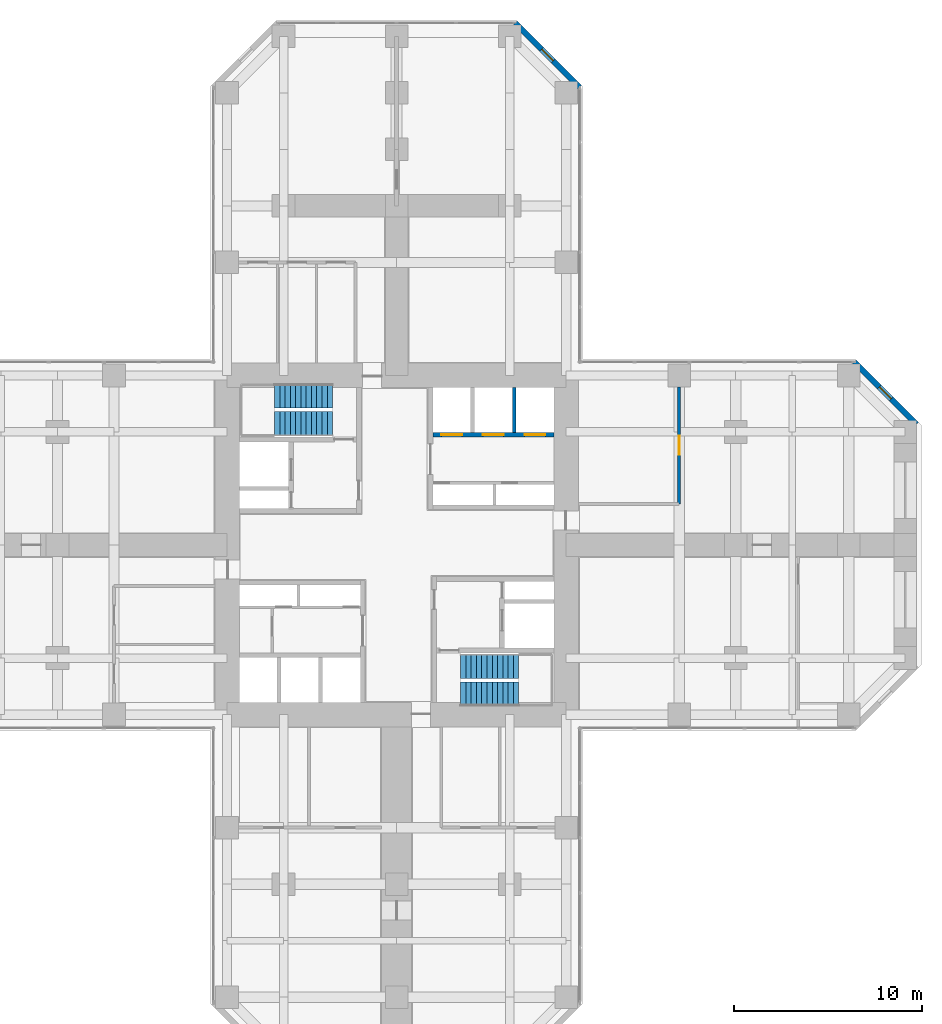
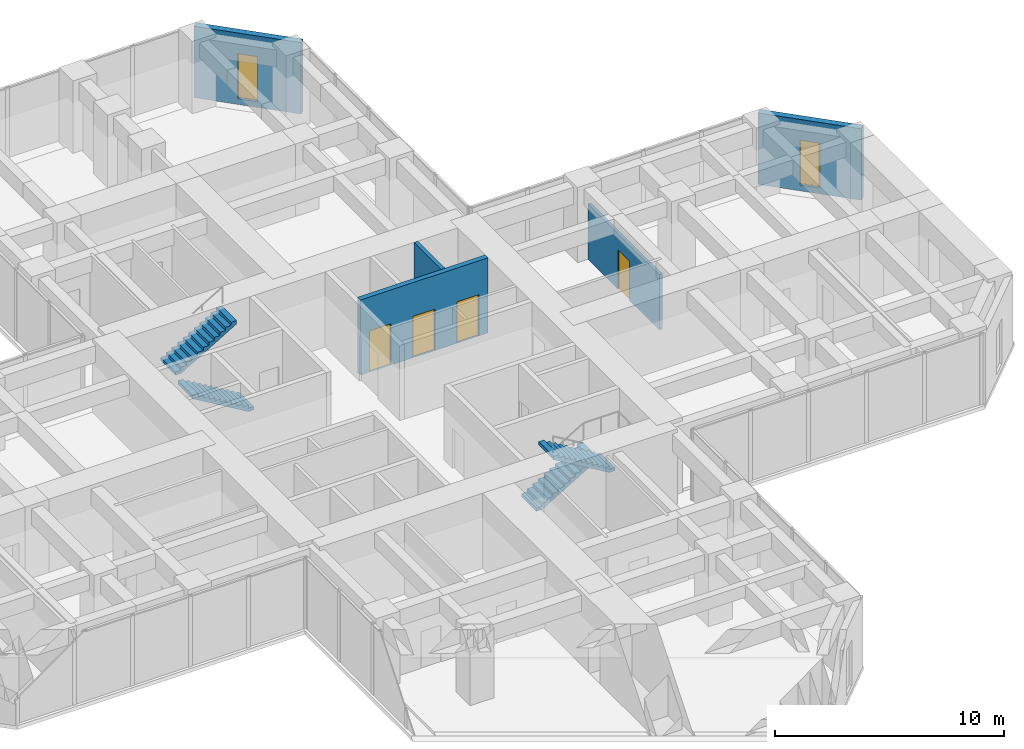
# One storey, part 11 of 12: 5 walls, 4 doors, 4 stair flights, 2 windows, 6 openings, 2 elements without a shape of their own.
"""IFC4 building model written with IfcOpenShell, lengths in metres."""

import ifcopenshell
import ifcopenshell.guid

model = None  # the IFC model being written
_history = None  # IfcOwnerHistory: only IFC2X3 demands one
_inside = {}  # id of a spatial element -> (the spatial element, [elements in it])
_under = {}  # id of a project, library or spatial element -> (it, [spatial elements below it])
_declared = {}  # id of a project -> (the project, [libraries it declares])
_typed = {}  # id of a type object -> (the type object, [elements of that type])
_made_of = {}  # id of a material, layer set ... -> (it, [elements and type objects made of it])


def new_model(schema):
    """Start an empty IFC model of exactly this schema.

    Asked for "IFC4X3", IfcOpenShell would pick the latest addendum, in which some entities
    have other attributes; the version numbers below select the first issue.
    IFC2X3 requires an IfcOwnerHistory on every rooted entity: one is made here for all.
    """
    global model, _history
    if schema == "IFC4X3":
        model = ifcopenshell.file(schema_version=(4, 3, 0, 0))
    else:
        model = ifcopenshell.file(schema=schema)
    _inside.clear()
    _under.clear()
    _declared.clear()
    _typed.clear()
    _made_of.clear()
    _history = None
    if model.schema == "IFC2X3":
        org = make("IfcOrganization", Name="unknown")
        user = make(
            "IfcPersonAndOrganization",
            ThePerson=make("IfcPerson", FamilyName="unknown"),
            TheOrganization=org,
        )
        app = make(
            "IfcApplication",
            ApplicationDeveloper=org,
            Version="unknown",
            ApplicationFullName="unknown",
            ApplicationIdentifier="unknown",
        )
        _history = make(
            "IfcOwnerHistory",
            OwningUser=user,
            OwningApplication=app,
            ChangeAction="ADDED",
            CreationDate=0,
        )
    return model


def make(cls, **values):
    """One entity of the class cls with the attributes given. An attribute that is None is left unset."""
    return model.create_entity(
        cls, **{name: value for name, value in values.items() if value is not None}
    )


def rooted(cls, **values):
    """An entity with a GlobalId (a new one), such as an element, a storey or a relation."""
    return make(cls, GlobalId=ifcopenshell.guid.new(), OwnerHistory=_history, **values)


def si_unit(unit_type, name, prefix=None):
    """IfcSIUnit, for example si_unit("LENGTHUNIT", "METRE", prefix="MILLI")."""
    return make("IfcSIUnit", UnitType=unit_type, Prefix=prefix, Name=name)


def assignment(units):
    """IfcUnitAssignment: the units of a project."""
    return None if units is None else make("IfcUnitAssignment", Units=units)


def point(xyz):
    """IfcCartesianPoint."""
    return None if xyz is None else make("IfcCartesianPoint", Coordinates=xyz)


def direction(xyz):
    """IfcDirection."""
    return None if xyz is None else make("IfcDirection", DirectionRatios=xyz)


def frame(location, z_axis=None, x_axis=None):
    """IfcAxis2Placement3D, a coordinate frame: its origin and axes. An axis left out is left unset."""
    return make(
        "IfcAxis2Placement3D",
        Location=point(location),
        Axis=direction(z_axis),
        RefDirection=direction(x_axis),
    )


def frame_2d(location, x_axis=None):
    """IfcAxis2Placement2D, a coordinate frame in the plane: its origin and x axis."""
    return make(
        "IfcAxis2Placement2D", Location=point(location), RefDirection=direction(x_axis)
    )


def origin():
    """The frame at (0, 0, 0) with its axes left unset."""
    return frame((0.0, 0.0, 0.0))


def place(relative_to, where):
    """IfcLocalPlacement: puts the frame where relative to a parent placement (None: the world)."""
    return make(
        "IfcLocalPlacement", PlacementRelTo=relative_to, RelativePlacement=where
    )


def context(
    kind, dimensions, precision=None, world=None, true_north=None, identifier=None
):
    """IfcGeometricRepresentationContext, for example the 3D "Model" context."""
    return make(
        "IfcGeometricRepresentationContext",
        ContextIdentifier=identifier,
        ContextType=kind,
        CoordinateSpaceDimension=dimensions,
        Precision=precision,
        WorldCoordinateSystem=world,
        TrueNorth=true_north,
    )


def subcontext(parent, identifier, kind, view, scale=None):
    """IfcGeometricRepresentationSubContext, for example "Body" below "Model"."""
    return make(
        "IfcGeometricRepresentationSubContext",
        ContextIdentifier=identifier,
        ContextType=kind,
        ParentContext=parent,
        TargetScale=scale,
        TargetView=view,
    )


def project(units=None, contexts=None):
    """IfcProject with its units and contexts."""
    return rooted(
        "IfcProject",
        Name="project",
        RepresentationContexts=contexts,
        UnitsInContext=assignment(units),
    )


def spatial(cls, under=None, at=None, **own):
    """A site, building, storey or space (cls), placed at a placement, below another one or the project."""
    s = rooted(cls, ObjectPlacement=at, **own)
    if under is not None:
        _under.setdefault(under.id(), (under, []))[1].append(s)
    return s


def polyline(points):
    """IfcPolyline through the points."""
    return make("IfcPolyline", Points=[point(p) for p in points])


def profile(cls, at=None, kind="AREA", **sizes):
    """A parametric profile (cls). Its sizes go by their IFC names, for example OverallWidth=200.0."""
    return make(cls, ProfileType=kind, Position=at, **sizes)


def rectangle(**sizes):
    """IfcRectangleProfileDef."""
    return profile("IfcRectangleProfileDef", **sizes)


def hollow_rectangle(**sizes):
    """IfcRectangleHollowProfileDef."""
    return profile("IfcRectangleHollowProfileDef", **sizes)


def outline(outer, holes=None, kind="AREA"):
    """IfcArbitraryClosedProfileDef: a profile drawn as a closed curve; with holes, ...WithVoids."""
    if holes is None:
        return make("IfcArbitraryClosedProfileDef", ProfileType=kind, OuterCurve=outer)
    return make(
        "IfcArbitraryProfileDefWithVoids",
        ProfileType=kind,
        OuterCurve=outer,
        InnerCurves=holes,
    )


def extrude(swept, where, along, depth):
    """IfcExtrudedAreaSolid: the profile swept, set in the frame where, extruded along a direction by depth."""
    return make(
        "IfcExtrudedAreaSolid",
        SweptArea=swept,
        Position=where,
        ExtrudedDirection=direction(along),
        Depth=depth,
    )


def shape(context_of_items, identifier, shape_type, items):
    """IfcShapeRepresentation: the items that make up one representation, for example the "Body"."""
    return make(
        "IfcShapeRepresentation",
        ContextOfItems=context_of_items,
        RepresentationIdentifier=identifier,
        RepresentationType=shape_type,
        Items=items,
    )


def material(Name=None, Category=None):
    """IfcMaterial."""
    return make("IfcMaterial", Name=Name, Category=Category)


def layer(
    of_material, thickness, ventilated=None, Name=None, Category=None, Priority=None
):
    """IfcMaterialLayer: one layer of a wall or slab, of a material (None: an air gap)."""
    return make(
        "IfcMaterialLayer",
        Material=of_material,
        LayerThickness=thickness,
        IsVentilated=ventilated,
        Name=Name,
        Category=Category,
        Priority=Priority,
    )


def layer_set(layers, Name=None):
    """IfcMaterialLayerSet."""
    return make("IfcMaterialLayerSet", MaterialLayers=layers, LayerSetName=Name)


def constituent(of_material, Name=None, Category=None, fraction=None):
    """IfcMaterialConstituent: one of the materials an element consists of."""
    return make(
        "IfcMaterialConstituent",
        Name=Name,
        Material=of_material,
        Fraction=fraction,
        Category=Category,
    )


def constituent_set(constituents=None, Name=None):
    """IfcMaterialConstituentSet."""
    return make(
        "IfcMaterialConstituentSet", Name=Name, MaterialConstituents=constituents
    )


def made_of(thing, what):
    """Note that an element or type object is made of a material, layer set ...; save() writes the relation."""
    if what is not None:
        _made_of.setdefault(what.id(), (what, []))[1].append(thing)
    return thing


def type_object(cls, material=None, **own):
    """A type object (cls), such as IfcWallType, which elements share."""
    return made_of(rooted(cls, **own), material)


def element(
    cls,
    number,
    at=None,
    inside=None,
    cuts=None,
    type_object=None,
    material=None,
    context=None,
    identifier="Body",
    shape_type=None,
    held_by="IfcProductDefinitionShape",
    body=None,
    shapes=None,
    **own,
):
    """One element of the class cls, such as IfcWall. Its Tag is "e" and its number.

    at: its placement. inside: the storey or other place that contains it. cuts: it is an
    opening in that element (IfcRelVoidsElement). A single representation is given by context,
    identifier, shape_type and body (its items); several are given by shapes. held_by: the class
    of the entity that holds the representations. save() writes the other relations.
    """
    e = rooted(cls, Tag="e%d" % number, ObjectPlacement=at, **own)
    if body is not None:
        shapes = [shape(context, identifier, shape_type, body)]
    if shapes is not None:
        e.Representation = make(held_by, Representations=shapes)
    if inside is not None:
        _inside.setdefault(inside.id(), (inside, []))[1].append(e)
    if cuts is not None:
        rooted(
            "IfcRelVoidsElement", RelatingBuildingElement=cuts, RelatedOpeningElement=e
        )
    if type_object is not None:
        _typed.setdefault(type_object.id(), (type_object, []))[1].append(e)
    return made_of(e, material)


def fill(opening, filler):
    """IfcRelFillsElement: the door or window that sits in an opening."""
    return rooted(
        "IfcRelFillsElement",
        RelatingOpeningElement=opening,
        RelatedBuildingElement=filler,
    )


def aggregate(whole, parts):
    """IfcRelAggregates: a whole, such as a stair, and the parts it consists of."""
    return rooted("IfcRelAggregates", RelatingObject=whole, RelatedObjects=parts)


def save(model, path):
    """Write the relations noted so far, then the file.

    IfcRelAggregates (storeys below a building ...), IfcRelContainedInSpatialStructure (elements
    in a storey), IfcRelDefinesByType, IfcRelAssociatesMaterial and IfcRelDeclares: one each for
    every whole, place, type object, material and project.
    """
    for whole, parts in _under.values():
        aggregate(whole, parts)
    for where, things in _inside.values():
        rooted(
            "IfcRelContainedInSpatialStructure",
            RelatedElements=things,
            RelatingStructure=where,
        )
    for kind, things in _typed.values():
        rooted("IfcRelDefinesByType", RelatedObjects=things, RelatingType=kind)
    for what, things in _made_of.values():
        rooted("IfcRelAssociatesMaterial", RelatedObjects=things, RelatingMaterial=what)
    for by, libraries in _declared.values():
        rooted("IfcRelDeclares", RelatingContext=by, RelatedDefinitions=libraries)
    model.write(path)


model = new_model("IFC4")

# Units and contexts
model_context = context("Model", 3, precision=1e-05, world=origin(), true_north=direction((0.0, 1.0)))
body_context = subcontext(model_context, "Body", "Model", "MODEL_VIEW")
ifc_project = project(units=[si_unit("LENGTHUNIT", "METRE"), si_unit("AREAUNIT", "SQUARE_METRE"), si_unit("VOLUMEUNIT", "CUBIC_METRE"), si_unit("PLANEANGLEUNIT", "RADIAN"), si_unit("MASSUNIT", "GRAM", prefix="KILO")], contexts=[model_context])

# Site, building, storey
site_placement = place(None, origin())
site = spatial("IfcSite", under=ifc_project, at=site_placement, CompositionType="ELEMENT")
building_placement = place(site_placement, origin())
building = spatial("IfcBuilding", under=site, at=building_placement, Name="Torre Cruceta", CompositionType="ELEMENT")
storey_placement = place(building_placement, frame((0.0, 0.0, 43.5)))
storey = spatial("IfcBuildingStorey", under=building, at=storey_placement, Name="L10", CompositionType="ELEMENT", Elevation=43.5)

# Wall, openings, doors
ifc_material_1 = material(Name="Concrete G60 (fck 60 MPa)", Category="concrete")
ifc_layer_1 = layer(ifc_material_1, 0.25)
ifc_layer_set_1 = layer_set([ifc_layer_1], Name="Concrete G60 (fck 60 MPa)")
wall_type_1 = type_object("IfcWallType", Name="CORE INNER WALL 250 G60", PredefinedType="SHEAR", material=ifc_layer_set_1)
wall_1_placement = place(storey_placement, frame((1.925048828125, 5.85009765625, 0.0), z_axis=(0.0, 0.0, 1.0), x_axis=(1.0, 0.0, 0.0)))
wall_1 = element("IfcWall", 1, at=wall_1_placement, inside=storey, type_object=wall_type_1, Name="CW4 L10 NE-LV", PredefinedType="SHEAR", context=body_context, shape_type="SweptSolid", body=[
    extrude(rectangle(XDim=6.425048828125, YDim=0.25, at=frame_2d((3.21240234375, 0.0))), origin(), (0.0, 0.0, 1.0), 4.0),
])
opening_1_placement = place(wall_1_placement, frame((0.4541015625, 0.0, 0.0)))
opening_1 = element("IfcOpeningElement", 2, at=opening_1_placement, cuts=wall_1, Name="Opening LD1", PredefinedType="OPENING", context=body_context, shape_type="SweptSolid", body=[
    extrude(rectangle(XDim=1.10009765625, YDim=2.199951171875, at=frame_2d((0.550048828125, 1.10009765625))), frame((0.0, 0.135009765625, 0.0), z_axis=(0.0, -1.0, 0.0), x_axis=(1.0, 0.0, 0.0)), (0.0, 0.0, 1.0), 0.27001953125),
])
opening_2_placement = place(wall_1_placement, frame((2.66259765625, 0.0, 0.0)))
opening_2 = element("IfcOpeningElement", 3, at=opening_2_placement, cuts=wall_1, Name="Opening LD1", PredefinedType="OPENING", context=body_context, shape_type="SweptSolid", body=[
    extrude(rectangle(XDim=1.10009765625, YDim=2.199951171875, at=frame_2d((0.550048828125, 1.10009765625))), frame((0.0, 0.135009765625, 0.0), z_axis=(0.0, -1.0, 0.0), x_axis=(1.0, 0.0, 0.0)), (0.0, 0.0, 1.0), 0.27001953125),
])
opening_3_placement = place(wall_1_placement, frame((4.870849609375, 0.0, 0.0)))
opening_3 = element("IfcOpeningElement", 4, at=opening_3_placement, cuts=wall_1, Name="Opening LD1", PredefinedType="OPENING", context=body_context, shape_type="SweptSolid", body=[
    extrude(rectangle(XDim=1.10009765625, YDim=2.199951171875, at=frame_2d((0.550048828125, 1.10009765625))), frame((0.0, 0.135009765625, 0.0), z_axis=(0.0, -1.0, 0.0), x_axis=(1.0, 0.0, 0.0)), (0.0, 0.0, 1.0), 0.27001953125),
])
ifc_material_2 = material(Name="Stainless steel 1.4401", Category="steel")
door_type_1 = type_object("IfcDoorType", Name="LIFT LANDING DOOR 1100X2200", OperationType="DOUBLE_DOOR_SLIDING", PredefinedType="DOOR", material=ifc_material_2)
door_1_placement = place(opening_1_placement, origin())
door_1 = element("IfcDoor", 5, at=door_1_placement, inside=storey, type_object=door_type_1, Name="Lift landing door P1", OperationType="DOUBLE_DOOR_SLIDING", OverallHeight=2.199951171875, OverallWidth=1.10009765625, PredefinedType="DOOR", context=body_context, shape_type="SweptSolid", body=[
    extrude(rectangle(XDim=1.10009765625, YDim=2.199951171875, at=frame_2d((0.550048828125, 1.10009765625))), frame((0.0, 0.02490234375, 0.0), z_axis=(0.0, -1.0, 0.0), x_axis=(1.0, 0.0, 0.0)), (0.0, 0.0, 1.0), 0.050048828125),
])
fill(opening_1, door_1)
door_2_placement = place(opening_2_placement, origin())
door_2 = element("IfcDoor", 6, at=door_2_placement, inside=storey, type_object=door_type_1, Name="Lift landing door P2", OperationType="DOUBLE_DOOR_SLIDING", OverallHeight=2.199951171875, OverallWidth=1.10009765625, PredefinedType="DOOR", context=body_context, shape_type="SweptSolid", body=[
    extrude(rectangle(XDim=1.10009765625, YDim=2.199951171875, at=frame_2d((0.550048828125, 1.10009765625))), frame((0.0, 0.02490234375, 0.0), z_axis=(0.0, -1.0, 0.0), x_axis=(1.0, 0.0, 0.0)), (0.0, 0.0, 1.0), 0.050048828125),
])
fill(opening_2, door_2)
door_3_placement = place(opening_3_placement, origin())
door_3 = element("IfcDoor", 7, at=door_3_placement, inside=storey, type_object=door_type_1, Name="Lift landing door P3", OperationType="DOUBLE_DOOR_SLIDING", OverallHeight=2.199951171875, OverallWidth=1.10009765625, PredefinedType="DOOR", context=body_context, shape_type="SweptSolid", body=[
    extrude(rectangle(XDim=1.10009765625, YDim=2.199951171875, at=frame_2d((0.550048828125, 1.10009765625))), frame((0.0, 0.02490234375, 0.0), z_axis=(0.0, -1.0, 0.0), x_axis=(1.0, 0.0, 0.0)), (0.0, 0.0, 1.0), 0.050048828125),
])
fill(opening_3, door_3)

# Wall, opening, window
ifc_material_3 = material(Name="Concrete G30 (fck 30 MPa)", Category="concrete")
ifc_layer_2 = layer(ifc_material_3, 0.300048828125)
ifc_layer_set_2 = layer_set([ifc_layer_2], Name="Concrete G30 (fck 30 MPa)")
wall_type_2 = type_object("IfcWallType", Name="EXPOSED CONCRETE FACADE WALL 300", PredefinedType="SOLIDWALL", material=ifc_layer_set_2)
wall_2_placement = place(storey_placement, frame((27.60009765625, 6.418212890625, 0.0), z_axis=(0.0, 0.0, 1.0), x_axis=(-0.707106781187, 0.707106781187, 0.0)))
wall_2 = element("IfcWall", 8, at=wall_2_placement, inside=storey, type_object=wall_type_2, Name="EW1 facade wall L10 E chamfer 03", PredefinedType="SOLIDWALL", context=body_context, shape_type="SweptSolid", body=[
    extrude(rectangle(XDim=4.66943359375, YDim=0.300048828125, at=frame_2d((2.334716796875, 0.0))), origin(), (0.0, 0.0, 1.0), 3.800048828125),
])
opening_4_placement = place(wall_2_placement, frame((1.884765625, 0.0, 0.300048828125)))
opening_4 = element("IfcOpeningElement", 9, at=opening_4_placement, cuts=wall_2, Name="Opening WN5", PredefinedType="OPENING", context=body_context, shape_type="SweptSolid", body=[
    extrude(rectangle(XDim=0.89990234375, YDim=2.39990234375, at=frame_2d((0.449951171875, 1.199951171875))), frame((0.0, 0.159912109375, 0.0), z_axis=(0.0, -1.0, 0.0), x_axis=(1.0, 0.0, 0.0)), (0.0, 0.0, 1.0), 0.320068359375),
])
ifc_material_4 = material(Name="Aluminium window frame", Category="aluminium")
ifc_constituent_1 = constituent(ifc_material_4, Name="Frame")
ifc_material_5 = material(Name="Laminated insulating glass unit, low-iron clear", Category="glass")
ifc_constituent_2 = constituent(ifc_material_5, Name="Glazing")
ifc_constituent_set_1 = constituent_set(constituents=[ifc_constituent_1, ifc_constituent_2], Name="Aluminium window")
window_type = type_object("IfcWindowType", Name="CHAMFER SLOT WINDOW 900X2400", PartitioningType="SINGLE_PANEL", PredefinedType="WINDOW", material=ifc_constituent_set_1)
window_1_placement = place(opening_4_placement, origin())
window_1 = element("IfcWindow", 10, at=window_1_placement, inside=storey, type_object=window_type, Name="WN5 L10 E 1", OverallHeight=2.39990234375, OverallWidth=0.89990234375, PartitioningType="SINGLE_PANEL", PredefinedType="WINDOW", context=body_context, shape_type="SweptSolid", body=[
    extrude(hollow_rectangle(XDim=0.89990234375, YDim=2.39990234375, WallThickness=0.06005859375, at=frame_2d((0.449951171875, 1.199951171875))), frame((0.0, 0.030029296875, 0.0), z_axis=(0.0, -1.0, 0.0), x_axis=(1.0, 0.0, 0.0)), (0.0, 0.0, 1.0), 0.06005859375),
    extrude(rectangle(XDim=0.77880859375, YDim=2.27880859375, at=frame_2d((0.449951171875, 1.199951171875))), frame((0.0, 0.030029296875, 0.0), z_axis=(0.0, -1.0, 0.0), x_axis=(1.0, 0.0, 0.0)), (0.0, 0.0, 1.0), 0.06005859375),
])
fill(opening_4, window_1)

wall_3_placement = place(storey_placement, frame((9.719970703125, 24.29833984375, 0.0), z_axis=(0.0, 0.0, 1.0), x_axis=(-0.707106781187, 0.707106781187, 0.0)))
wall_3 = element("IfcWall", 11, at=wall_3_placement, inside=storey, type_object=wall_type_2, Name="EW1 facade wall L10 N chamfer 06", PredefinedType="SOLIDWALL", context=body_context, shape_type="SweptSolid", body=[
    extrude(rectangle(XDim=4.8388671875, YDim=0.300048828125, at=frame_2d((2.41943359375, 0.0))), origin(), (0.0, 0.0, 1.0), 3.800048828125),
])
opening_5_placement = place(wall_3_placement, frame((1.969482421875, 0.0, 0.300048828125)))
opening_5 = element("IfcOpeningElement", 12, at=opening_5_placement, cuts=wall_3, Name="Opening WN5", PredefinedType="OPENING", context=body_context, shape_type="SweptSolid", body=[
    extrude(rectangle(XDim=0.89990234375, YDim=2.39990234375, at=frame_2d((0.449951171875, 1.199951171875))), frame((0.0, 0.159912109375, 0.0), z_axis=(0.0, -1.0, 0.0), x_axis=(1.0, 0.0, 0.0)), (0.0, 0.0, 1.0), 0.320068359375),
])
window_2_placement = place(opening_5_placement, origin())
window_2 = element("IfcWindow", 13, at=window_2_placement, inside=storey, type_object=window_type, Name="WN5 L10 N 1", OverallHeight=2.39990234375, OverallWidth=0.89990234375, PartitioningType="SINGLE_PANEL", PredefinedType="WINDOW", context=body_context, shape_type="SweptSolid", body=[
    extrude(hollow_rectangle(XDim=0.89990234375, YDim=2.39990234375, WallThickness=0.06005859375, at=frame_2d((0.449951171875, 1.199951171875))), frame((0.0, 0.030029296875, 0.0), z_axis=(0.0, -1.0, 0.0), x_axis=(1.0, 0.0, 0.0)), (0.0, 0.0, 1.0), 0.06005859375),
    extrude(rectangle(XDim=0.77880859375, YDim=2.27880859375, at=frame_2d((0.449951171875, 1.199951171875))), frame((0.0, 0.030029296875, 0.0), z_axis=(0.0, -1.0, 0.0), x_axis=(1.0, 0.0, 0.0)), (0.0, 0.0, 1.0), 0.06005859375),
])
fill(opening_5, window_2)

# Wall
ifc_material_6 = material(Name="Concrete G35 (fck 35 MPa)", Category="concrete")
ifc_layer_3 = layer(ifc_material_6, 0.199951171875)
ifc_layer_set_3 = layer_set([ifc_layer_3], Name="Concrete G35 (fck 35 MPa)")
wall_type_3 = type_object("IfcWallType", Name="LIFT SHAFT WALL 200", PredefinedType="PARTITIONING", material=ifc_layer_set_3)
wall_4_placement = place(storey_placement, frame((6.24169921875, 5.97509765625, 0.0), z_axis=(0.0, 0.0, 1.0), x_axis=(0.0, 1.0, 0.0)))
element("IfcWall", 14, at=wall_4_placement, inside=storey, type_object=wall_type_3, Name="SW1 L10 NE-LS2", PredefinedType="PARTITIONING", context=body_context, shape_type="SweptSolid", body=[
    extrude(rectangle(XDim=2.375, YDim=0.199951171875, at=frame_2d((1.1875, 0.0))), origin(), (0.0, 0.0, 1.0), 4.0),
])

# Wall, opening, door
ifc_material_7 = material(Name="Plasterboard on steel studs", Category="steel")
ifc_layer_4 = layer(ifc_material_7, 0.14990234375)
ifc_layer_set_4 = layer_set([ifc_layer_4], Name="Plasterboard on steel studs")
wall_type_4 = type_object("IfcWallType", Name="PARTITION 150", PredefinedType="PARTITIONING", material=ifc_layer_set_4)
wall_5_placement = place(storey_placement, frame((15.0, 2.175048828125, 0.0), z_axis=(0.0, 0.0, 1.0), x_axis=(0.0, 1.0, 0.0)))
wall_5 = element("IfcWall", 15, at=wall_5_placement, inside=storey, type_object=wall_type_4, Name="PT1 L10-E-BFL", PredefinedType="PARTITIONING", context=body_context, shape_type="SweptSolid", body=[
    extrude(rectangle(XDim=6.224853515625, YDim=0.14990234375, at=frame_2d((3.1123046875, 0.0))), origin(), (0.0, 0.0, 1.0), 2.949951171875),
])
opening_6_placement = place(wall_5_placement, frame((2.612548828125, 0.0, 0.0)))
opening_6 = element("IfcOpeningElement", 16, at=opening_6_placement, cuts=wall_5, Name="Opening D3", PredefinedType="OPENING", context=body_context, shape_type="SweptSolid", body=[
    extrude(rectangle(XDim=1.0, YDim=2.10009765625, at=frame_2d((0.5, 1.050048828125))), frame((0.0, 0.0849609375, 0.0), z_axis=(0.0, -1.0, 0.0), x_axis=(1.0, 0.0, 0.0)), (0.0, 0.0, 1.0), 0.169921875),
])
ifc_material_8 = material(Name="Steel DX51D", Category="steel")
ifc_constituent_3 = constituent(ifc_material_8, Name="Leaf and frame")
ifc_material_9 = material(Name="Polyester powder coating", Category="paint")
ifc_constituent_4 = constituent(ifc_material_9, Name="Finish")
ifc_constituent_set_2 = constituent_set(constituents=[ifc_constituent_3, ifc_constituent_4], Name="Steel fire door")
door_type_2 = type_object("IfcDoorType", Name="FIRE DOOR 1000X2100", OperationType="SINGLE_SWING_LEFT", PredefinedType="DOOR", material=ifc_constituent_set_2)
door_4_placement = place(opening_6_placement, origin())
door_4 = element("IfcDoor", 17, at=door_4_placement, inside=storey, type_object=door_type_2, Name="D3 L10-E-BFL-D1", OperationType="SINGLE_SWING_LEFT", OverallHeight=2.10009765625, OverallWidth=1.0, PredefinedType="DOOR", context=body_context, shape_type="SweptSolid", body=[
    extrude(rectangle(XDim=1.0, YDim=2.10009765625, at=frame_2d((0.5, 1.050048828125))), frame((0.0, 0.02490234375, 0.0), z_axis=(0.0, -1.0, 0.0), x_axis=(1.0, 0.0, 0.0)), (0.0, 0.0, 1.0), 0.050048828125),
])
fill(opening_6, door_4)

# Stair, stair flights
ifc_material_10 = material(Name="Concrete G30 (fck 30 MPa)", Category="concrete")
stair_type = type_object("IfcStairType", Name="STAIR HALF-TURN 1300", PredefinedType="HALF_TURN_STAIR", material=ifc_material_10)
stair_1_placement = place(storey_placement, origin())
stair_1 = element("IfcStair", 18, at=stair_1_placement, inside=storey, type_object=stair_type, Name="Stair ST1 L10", PredefinedType="HALF_TURN_STAIR")
ifc_material_11 = material(Name="Concrete G30 (fck 30 MPa)", Category="concrete")
stair_flight_type = type_object("IfcStairFlightType", Name="STAIR FLIGHT 1300", PredefinedType="STRAIGHT", material=ifc_material_11)
stair_flight_1_placement = place(storey_placement, frame((-3.39990234375, 6.425048828125, 0.0), z_axis=(0.0, 0.0, 1.0), x_axis=(-1.0, 0.0, 0.0)))
stair_flight_1 = element("IfcStairFlight", 19, at=stair_flight_1_placement, type_object=stair_flight_type, Name="ST1 flight 1", NumberOfRisers=12, NumberOfTreads=11, PredefinedType="STRAIGHT", RiserHeight=0.166666667, TreadLength=0.28, context=body_context, shape_type="SweptSolid", body=[
    extrude(outline(polyline([(0.0, 0.0), (0.0, 0.166748046875), (0.280029296875, 0.166748046875), (0.280029296875, 0.333251953125), (0.56005859375, 0.333251953125), (0.56005859375, 0.5), (0.840087890625, 0.5), (0.840087890625, 0.666748046875), (1.1201171875, 0.666748046875), (1.1201171875, 0.833251953125), (1.39990234375, 0.833251953125), (1.39990234375, 1.0), (1.679931640625, 1.0), (1.679931640625, 1.166748046875), (1.9599609375, 1.166748046875), (1.9599609375, 1.333251953125), (2.239990234375, 1.333251953125), (2.239990234375, 1.5), (2.52001953125, 1.5), (2.52001953125, 1.666748046875), (2.800048828125, 1.666748046875), (2.800048828125, 1.833251953125), (3.080078125, 1.833251953125), (3.080078125, 2.0), (3.080078125, 1.658935546875), (0.29296875, 0.0), (0.0, 0.0)])), frame((0.0, 0.64990234375, 0.0), z_axis=(0.0, -1.0, 0.0), x_axis=(1.0, 0.0, 0.0)), (0.0, 0.0, 1.0), 1.300048828125),
])
stair_flight_2_placement = place(storey_placement, frame((-6.47998046875, 7.925048828125, 2.0), z_axis=(0.0, 0.0, 1.0), x_axis=(1.0, 0.0, 0.0)))
stair_flight_2 = element("IfcStairFlight", 20, at=stair_flight_2_placement, type_object=stair_flight_type, Name="ST1 flight 2", NumberOfRisers=12, NumberOfTreads=11, PredefinedType="STRAIGHT", RiserHeight=0.166666667, TreadLength=0.28, context=body_context, shape_type="SweptSolid", body=[
    extrude(outline(polyline([(0.0, 0.0), (0.0, 0.166748046875), (0.280029296875, 0.166748046875), (0.280029296875, 0.333251953125), (0.56005859375, 0.333251953125), (0.56005859375, 0.5), (0.840087890625, 0.5), (0.840087890625, 0.666748046875), (1.1201171875, 0.666748046875), (1.1201171875, 0.833251953125), (1.39990234375, 0.833251953125), (1.39990234375, 1.0), (1.679931640625, 1.0), (1.679931640625, 1.166748046875), (1.9599609375, 1.166748046875), (1.9599609375, 1.333251953125), (2.239990234375, 1.333251953125), (2.239990234375, 1.5), (2.52001953125, 1.5), (2.52001953125, 1.666748046875), (2.800048828125, 1.666748046875), (2.800048828125, 1.833251953125), (3.080078125, 1.833251953125), (3.080078125, 2.0), (3.080078125, 1.658935546875), (0.29296875, 0.0), (0.0, 0.0)])), frame((0.0, 0.64990234375, 0.0), z_axis=(0.0, -1.0, 0.0), x_axis=(1.0, 0.0, 0.0)), (0.0, 0.0, 1.0), 1.300048828125),
])
aggregate(stair_1, [stair_flight_1, stair_flight_2])

stair_2_placement = place(storey_placement, origin())
stair_2 = element("IfcStair", 21, at=stair_2_placement, inside=storey, type_object=stair_type, Name="Stair ST2 L10", PredefinedType="HALF_TURN_STAIR")
stair_flight_3_placement = place(storey_placement, frame((3.39990234375, -6.425048828125, 0.0), z_axis=(0.0, 0.0, 1.0), x_axis=(1.0, 0.0, 0.0)))
stair_flight_3 = element("IfcStairFlight", 22, at=stair_flight_3_placement, type_object=stair_flight_type, Name="ST2 flight 1", NumberOfRisers=12, NumberOfTreads=11, PredefinedType="STRAIGHT", RiserHeight=0.166666667, TreadLength=0.28, context=body_context, shape_type="SweptSolid", body=[
    extrude(outline(polyline([(0.0, 0.0), (0.0, 0.166748046875), (0.280029296875, 0.166748046875), (0.280029296875, 0.333251953125), (0.56005859375, 0.333251953125), (0.56005859375, 0.5), (0.840087890625, 0.5), (0.840087890625, 0.666748046875), (1.1201171875, 0.666748046875), (1.1201171875, 0.833251953125), (1.39990234375, 0.833251953125), (1.39990234375, 1.0), (1.679931640625, 1.0), (1.679931640625, 1.166748046875), (1.9599609375, 1.166748046875), (1.9599609375, 1.333251953125), (2.239990234375, 1.333251953125), (2.239990234375, 1.5), (2.52001953125, 1.5), (2.52001953125, 1.666748046875), (2.800048828125, 1.666748046875), (2.800048828125, 1.833251953125), (3.080078125, 1.833251953125), (3.080078125, 2.0), (3.080078125, 1.658935546875), (0.29296875, 0.0), (0.0, 0.0)])), frame((0.0, 0.64990234375, 0.0), z_axis=(0.0, -1.0, 0.0), x_axis=(1.0, 0.0, 0.0)), (0.0, 0.0, 1.0), 1.300048828125),
])
stair_flight_4_placement = place(storey_placement, frame((6.47998046875, -7.925048828125, 2.0), z_axis=(0.0, 0.0, 1.0), x_axis=(-1.0, 0.0, 0.0)))
stair_flight_4 = element("IfcStairFlight", 23, at=stair_flight_4_placement, type_object=stair_flight_type, Name="ST2 flight 2", NumberOfRisers=12, NumberOfTreads=11, PredefinedType="STRAIGHT", RiserHeight=0.166666667, TreadLength=0.28, context=body_context, shape_type="SweptSolid", body=[
    extrude(outline(polyline([(0.0, 0.0), (0.0, 0.166748046875), (0.280029296875, 0.166748046875), (0.280029296875, 0.333251953125), (0.56005859375, 0.333251953125), (0.56005859375, 0.5), (0.840087890625, 0.5), (0.840087890625, 0.666748046875), (1.1201171875, 0.666748046875), (1.1201171875, 0.833251953125), (1.39990234375, 0.833251953125), (1.39990234375, 1.0), (1.679931640625, 1.0), (1.679931640625, 1.166748046875), (1.9599609375, 1.166748046875), (1.9599609375, 1.333251953125), (2.239990234375, 1.333251953125), (2.239990234375, 1.5), (2.52001953125, 1.5), (2.52001953125, 1.666748046875), (2.800048828125, 1.666748046875), (2.800048828125, 1.833251953125), (3.080078125, 1.833251953125), (3.080078125, 2.0), (3.080078125, 1.658935546875), (0.29296875, 0.0), (0.0, 0.0)])), frame((0.0, 0.64990234375, 0.0), z_axis=(0.0, -1.0, 0.0), x_axis=(1.0, 0.0, 0.0)), (0.0, 0.0, 1.0), 1.300048828125),
])
aggregate(stair_2, [stair_flight_3, stair_flight_4])

save(model, "model.ifc")
